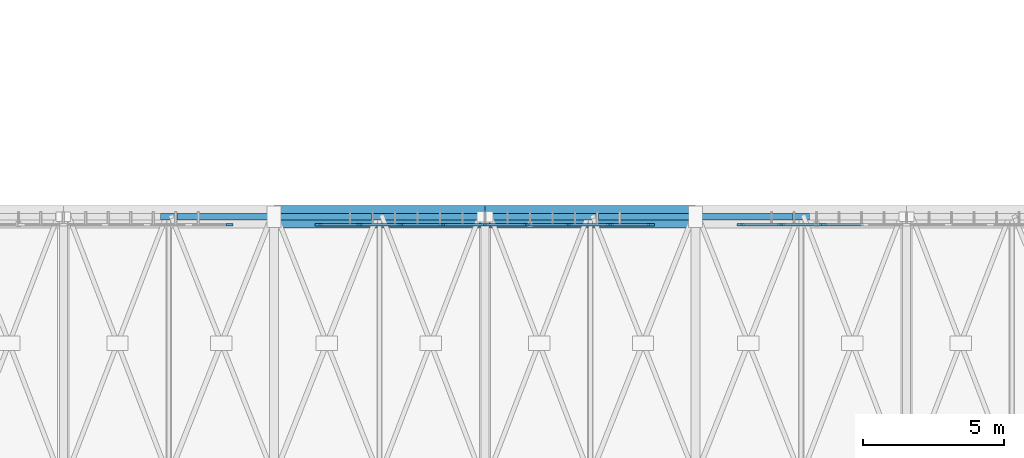
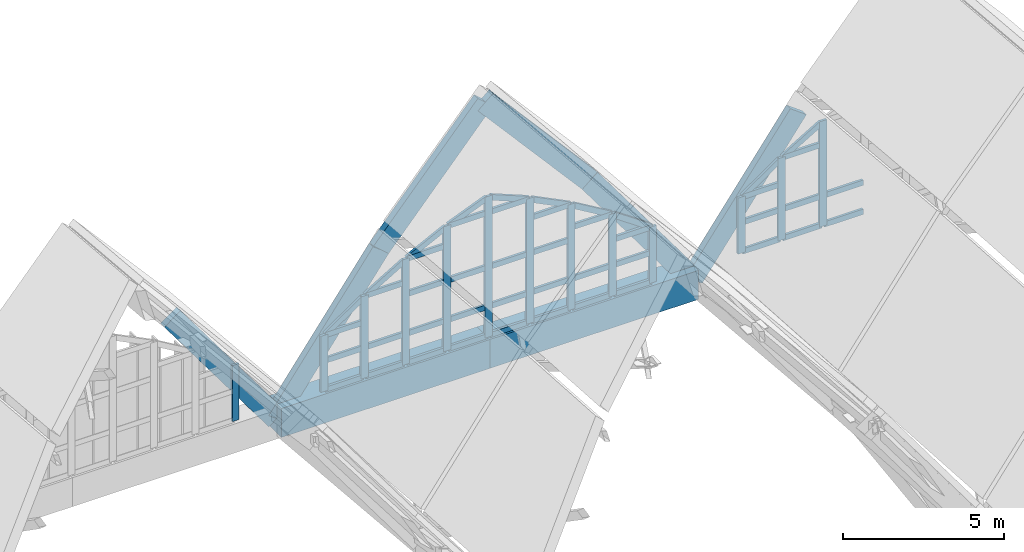
# One storey, part 45 of 93: 59 members, 8 beams, 3 elements without a shape of their own.
"""IFC4 building model written with IfcOpenShell, lengths in metres."""

from ifc_helpers import new_model, si_unit, direction, frame, origin, origin_2d, place, context, subcontext, project, spatial, rectangle, extrude, material, material_profile, profile_set, type_object, element, aggregate, save


model = new_model("IFC4")

# Units and contexts
model_context = context("Model", 3, precision=1e-05, world=origin(), true_north=direction((0.0, 1.0)))
body_context = subcontext(model_context, "Body", "Model", "MODEL_VIEW")
ifc_project = project(units=[si_unit("LENGTHUNIT", "METRE"), si_unit("AREAUNIT", "SQUARE_METRE"), si_unit("VOLUMEUNIT", "CUBIC_METRE"), si_unit("PLANEANGLEUNIT", "RADIAN"), si_unit("MASSUNIT", "GRAM", prefix="KILO")], contexts=[model_context])

# Site, building, storey
site_placement = place(None, origin())
site = spatial("IfcSite", under=ifc_project, at=site_placement, CompositionType="ELEMENT")
building_placement = place(site_placement, origin())
building = spatial("IfcBuilding", under=site, at=building_placement, Name="Vourika Railside Aquatics Centre", CompositionType="ELEMENT")
storey_placement = place(building_placement, frame((0.0, 0.0, 21.89990234375)))
storey = spatial("IfcBuildingStorey", under=building, at=storey_placement, Name="Roof", CompositionType="ELEMENT", Elevation=21.89990234375)

# Beams
ifc_material_1 = material(Name="Glulam GL32h", Category="wood")
ifc_material_profile_1 = material_profile(ifc_material_1, rectangle(XDim=0.239990234375, YDim=0.719970703125, at=origin_2d()), Name="GL32h 240x720")
ifc_profile_set_1 = profile_set([ifc_material_profile_1], Name="Glulam GL32h")
beam_type_1 = type_object("IfcBeamType", Name="BM-GL-ARCH-240x720", PredefinedType="BEAM", material=ifc_profile_set_1)
for number, where, z_axis, x_axis, name in (
    (1, (62.25, 66.0, -6.599853515625), (0.592383087934, 0.0, -0.805656426233), (0.0, 1.0, 0.0), "Pointed Glulam Vault Arch Rib GAR-0062"),
    (2, (66.0, 66.0, -11.699951171875), (0.592383087934, 0.0, 0.805656426233), (0.0, 1.0, 0.0), "Pointed Glulam Vault Arch Rib GAR-0093"),
):
    element("IfcBeam", number, at=place(storey_placement, frame(where, z_axis=z_axis, x_axis=x_axis)), inside=storey, type_object=beam_type_1, Name=name, PredefinedType="BEAM", context=body_context, shape_type="SweptSolid", body=[
        extrude(rectangle(XDim=0.239990234375, YDim=0.719970703125, at=origin_2d()), origin(), (0.0, 0.0, 1.0), 6.330322265625),
    ])
for number, where, z_axis, x_axis, name in (
    (3, (69.75, 66.0, -6.599853515625), (0.657258623263, 0.0, 0.75366511273), (0.0, 1.0, 0.0), "Pointed Glulam Vault Arch Rib GAR-0094"),
    (4, (73.5, 66.0, -2.2998046875), (0.657258623263, 0.0, -0.75366511273), (0.0, 1.0, 0.0), "Pointed Glulam Vault Arch Rib GAR-0095"),
):
    element("IfcBeam", number, at=place(storey_placement, frame(where, z_axis=z_axis, x_axis=x_axis)), inside=storey, type_object=beam_type_1, Name=name, PredefinedType="BEAM", context=body_context, shape_type="SweptSolid", body=[
        extrude(rectangle(XDim=0.239990234375, YDim=0.719970703125, at=origin_2d()), origin(), (0.0, 0.0, 1.0), 5.70556640625),
    ])
for number, where, z_axis, x_axis, name in (
    (5, (77.25, 66.0, -6.599853515625), (0.592383087934, 0.0, -0.805656426233), (0.0, 1.0, 0.0), "Pointed Glulam Vault Arch Rib GAR-0096"),
    (6, (81.0, 66.0, -11.699951171875), (0.592383087934, 0.0, 0.805656426233), (0.0, 1.0, 0.0), "Pointed Glulam Vault Arch Rib GAR-0127"),
):
    element("IfcBeam", number, at=place(storey_placement, frame(where, z_axis=z_axis, x_axis=x_axis)), inside=storey, type_object=beam_type_1, Name=name, PredefinedType="BEAM", context=body_context, shape_type="SweptSolid", body=[
        extrude(rectangle(XDim=0.239990234375, YDim=0.719970703125, at=origin_2d()), origin(), (0.0, 0.0, 1.0), 6.330322265625),
    ])
ifc_material_2 = material(Name="Concrete C40/50", Category="concrete")
ifc_material_profile_2 = material_profile(ifc_material_2, rectangle(XDim=0.800048828125, YDim=1.10009765625, at=origin_2d()), Name="RC 800x1100")
ifc_profile_set_2 = profile_set([ifc_material_profile_2], Name="Concrete C40/50")
beam_type_2 = type_object("IfcBeamType", Name="BM-RING-800x1100", PredefinedType="BEAM", material=ifc_profile_set_2)
for number, where, z_axis, x_axis, name in (
    (7, (66.0, 66.0, -11.699951171875), (1.0, 0.0, 0.0), (0.0, 1.0, 0.0), "Vault Springing Ring Beam N (66.0-73.5)"),
    (8, (73.5, 66.0, -11.699951171875), (1.0, 0.0, 0.0), (0.0, 1.0, 0.0), "Vault Springing Ring Beam N (73.5-81.0)"),
):
    element("IfcBeam", number, at=place(storey_placement, frame(where, z_axis=z_axis, x_axis=x_axis)), inside=storey, type_object=beam_type_2, Name=name, PredefinedType="BEAM", context=body_context, shape_type="SweptSolid", body=[
        extrude(rectangle(XDim=0.800048828125, YDim=1.10009765625, at=origin_2d()), origin(), (0.0, 0.0, 1.0), 7.5),
    ])

# Curtain wall, member
ifc_material_3 = material(Name="Anodized thermally broken aluminium", Category="aluminium")
curtain_wall_type_1 = type_object("IfcCurtainWallType", Name="CW-VLTN1", PredefinedType="NOTDEFINED", material=ifc_material_3)
curtain_wall_1_placement = place(storey_placement, origin())
curtain_wall_1 = element("IfcCurtainWall", 9, at=curtain_wall_1_placement, inside=storey, type_object=curtain_wall_type_1, Name="North Courtyard Pointed-Arch Curtain Wall Bay 2", PredefinedType="NOTDEFINED")
ifc_material_4 = material(Name="Anodized aluminium mullion", Category="aluminium")
ifc_material_profile_3 = material_profile(ifc_material_4, rectangle(XDim=0.0849609375, YDim=0.25, at=origin_2d()), Name="ALU-M 85x250")
ifc_profile_set_3 = profile_set([ifc_material_profile_3], Name="Anodized aluminium mullion")
member_type_1 = type_object("IfcMemberType", Name="CWM-VLTN1", PredefinedType="MULLION", material=ifc_profile_set_3)
member_1_placement = place(storey_placement, frame((64.407470703125, 65.719970703125, -11.099853515625), z_axis=(0.0, 0.0, 1.0), x_axis=(0.0, -1.0, 0.0)))
member_1 = element("IfcMember", 10, at=member_1_placement, type_object=member_type_1, Name="CW01 arch mullion 1", PredefinedType="MULLION", context=body_context, shape_type="SweptSolid", body=[
    extrude(rectangle(XDim=0.0849609375, YDim=0.25, at=origin_2d()), origin(), (0.0, 0.0, 1.0), 2.130859375),
])
aggregate(curtain_wall_1, [member_1])

# Curtain wall, members
curtain_wall_type_2 = type_object("IfcCurtainWallType", Name="CW-VLTN2", PredefinedType="NOTDEFINED", material=ifc_material_3)
curtain_wall_2_placement = place(storey_placement, origin())
curtain_wall_2 = element("IfcCurtainWall", 11, at=curtain_wall_2_placement, inside=storey, type_object=curtain_wall_type_2, Name="North Courtyard Pointed-Arch Curtain Wall Bay 3", PredefinedType="NOTDEFINED")
ifc_material_profile_4 = material_profile(ifc_material_4, rectangle(XDim=0.090087890625, YDim=0.264892578125, at=origin_2d()), Name="ALU-M 90x265")
ifc_profile_set_4 = profile_set([ifc_material_profile_4], Name="Anodized aluminium mullion")
member_type_2 = type_object("IfcMemberType", Name="CWM-VLTN2", PredefinedType="MULLION", material=ifc_profile_set_4)
member_2_placement = place(storey_placement, frame((79.405029296875, 65.719970703125, -11.099853515625), z_axis=(0.0, 0.0, 1.0), x_axis=(0.0, -1.0, 0.0)))
member_2 = element("IfcMember", 12, at=member_2_placement, type_object=member_type_2, Name="CW02 arch mullion 1", PredefinedType="MULLION", context=body_context, shape_type="SweptSolid", body=[
    extrude(rectangle(XDim=0.090087890625, YDim=0.264892578125, at=origin_2d()), origin(), (0.0, 0.0, 1.0), 2.133056640625),
])
member_3_placement = place(storey_placement, frame((77.96240234375, 65.719970703125, -11.099853515625), z_axis=(0.0, 0.0, 1.0), x_axis=(0.0, -1.0, 0.0)))
member_3 = element("IfcMember", 13, at=member_3_placement, type_object=member_type_2, Name="CW02 arch mullion 2", PredefinedType="MULLION", context=body_context, shape_type="SweptSolid", body=[
    extrude(rectangle(XDim=0.090087890625, YDim=0.264892578125, at=origin_2d()), origin(), (0.0, 0.0, 1.0), 3.1259765625),
])
member_4_placement = place(storey_placement, frame((76.47509765625, 65.719970703125, -11.099853515625), z_axis=(0.0, 0.0, 1.0), x_axis=(0.0, -1.0, 0.0)))
member_4 = element("IfcMember", 14, at=member_4_placement, type_object=member_type_2, Name="CW02 arch mullion 3", PredefinedType="MULLION", context=body_context, shape_type="SweptSolid", body=[
    extrude(rectangle(XDim=0.090087890625, YDim=0.264892578125, at=origin_2d()), origin(), (0.0, 0.0, 1.0), 4.009033203125),
])
member_5_placement = place(storey_placement, frame((74.987548828125, 65.719970703125, -11.099853515625), z_axis=(0.0, 0.0, 1.0), x_axis=(0.0, -1.0, 0.0)))
member_5 = element("IfcMember", 15, at=member_5_placement, type_object=member_type_2, Name="CW02 arch mullion 4", PredefinedType="MULLION", context=body_context, shape_type="SweptSolid", body=[
    extrude(rectangle(XDim=0.090087890625, YDim=0.264892578125, at=origin_2d()), origin(), (0.0, 0.0, 1.0), 4.7509765625),
])
member_6_placement = place(storey_placement, frame((73.5, 65.719970703125, -11.099853515625), z_axis=(0.0, 0.0, 1.0), x_axis=(0.0, -1.0, 0.0)))
member_6 = element("IfcMember", 16, at=member_6_placement, type_object=member_type_2, Name="CW02 arch mullion 5", PredefinedType="MULLION", context=body_context, shape_type="SweptSolid", body=[
    extrude(rectangle(XDim=0.090087890625, YDim=0.264892578125, at=origin_2d()), origin(), (0.0, 0.0, 1.0), 5.349853515625),
])
member_7_placement = place(storey_placement, frame((72.012451171875, 65.719970703125, -11.099853515625), z_axis=(0.0, 0.0, 1.0), x_axis=(0.0, -1.0, 0.0)))
member_7 = element("IfcMember", 17, at=member_7_placement, type_object=member_type_2, Name="CW02 arch mullion 6", PredefinedType="MULLION", context=body_context, shape_type="SweptSolid", body=[
    extrude(rectangle(XDim=0.090087890625, YDim=0.264892578125, at=origin_2d()), origin(), (0.0, 0.0, 1.0), 4.7509765625),
])
member_8_placement = place(storey_placement, frame((70.52490234375, 65.719970703125, -11.099853515625), z_axis=(0.0, 0.0, 1.0), x_axis=(0.0, -1.0, 0.0)))
member_8 = element("IfcMember", 18, at=member_8_placement, type_object=member_type_2, Name="CW02 arch mullion 7", PredefinedType="MULLION", context=body_context, shape_type="SweptSolid", body=[
    extrude(rectangle(XDim=0.090087890625, YDim=0.264892578125, at=origin_2d()), origin(), (0.0, 0.0, 1.0), 4.009033203125),
])
member_9_placement = place(storey_placement, frame((69.03759765625, 65.719970703125, -11.099853515625), z_axis=(0.0, 0.0, 1.0), x_axis=(0.0, -1.0, 0.0)))
member_9 = element("IfcMember", 19, at=member_9_placement, type_object=member_type_2, Name="CW02 arch mullion 8", PredefinedType="MULLION", context=body_context, shape_type="SweptSolid", body=[
    extrude(rectangle(XDim=0.090087890625, YDim=0.264892578125, at=origin_2d()), origin(), (0.0, 0.0, 1.0), 3.1259765625),
])
member_10_placement = place(storey_placement, frame((67.594970703125, 65.719970703125, -11.099853515625), z_axis=(0.0, 0.0, 1.0), x_axis=(0.0, -1.0, 0.0)))
member_10 = element("IfcMember", 20, at=member_10_placement, type_object=member_type_2, Name="CW02 arch mullion 9", PredefinedType="MULLION", context=body_context, shape_type="SweptSolid", body=[
    extrude(rectangle(XDim=0.090087890625, YDim=0.264892578125, at=origin_2d()), origin(), (0.0, 0.0, 1.0), 2.133056640625),
])

curtain_wall_3_placement = place(storey_placement, origin())
curtain_wall_3 = element("IfcCurtainWall", 21, at=curtain_wall_3_placement, inside=storey, type_object=curtain_wall_type_2, Name="North Courtyard Pointed-Arch Curtain Wall Bay 4", PredefinedType="NOTDEFINED")
member_11_placement = place(storey_placement, frame((85.52490234375, 65.719970703125, -11.099853515625), z_axis=(0.0, 0.0, 1.0), x_axis=(0.0, -1.0, 0.0)))
member_11 = element("IfcMember", 22, at=member_11_placement, type_object=member_type_2, Name="CW02 arch mullion 7", PredefinedType="MULLION", context=body_context, shape_type="SweptSolid", body=[
    extrude(rectangle(XDim=0.090087890625, YDim=0.264892578125, at=origin_2d()), origin(), (0.0, 0.0, 1.0), 4.009033203125),
])
member_12_placement = place(storey_placement, frame((84.03759765625, 65.719970703125, -11.099853515625), z_axis=(0.0, 0.0, 1.0), x_axis=(0.0, -1.0, 0.0)))
member_12 = element("IfcMember", 23, at=member_12_placement, type_object=member_type_2, Name="CW02 arch mullion 8", PredefinedType="MULLION", context=body_context, shape_type="SweptSolid", body=[
    extrude(rectangle(XDim=0.090087890625, YDim=0.264892578125, at=origin_2d()), origin(), (0.0, 0.0, 1.0), 3.1259765625),
])
member_13_placement = place(storey_placement, frame((82.594970703125, 65.719970703125, -11.099853515625), z_axis=(0.0, 0.0, 1.0), x_axis=(0.0, -1.0, 0.0)))
member_13 = element("IfcMember", 24, at=member_13_placement, type_object=member_type_2, Name="CW02 arch mullion 9", PredefinedType="MULLION", context=body_context, shape_type="SweptSolid", body=[
    extrude(rectangle(XDim=0.090087890625, YDim=0.264892578125, at=origin_2d()), origin(), (0.0, 0.0, 1.0), 2.133056640625),
])

# Member
ifc_material_5 = material(Name="Anodized aluminium transom", Category="aluminium")
ifc_material_profile_5 = material_profile(ifc_material_5, rectangle(XDim=0.090087890625, YDim=0.205078125, at=origin_2d()), Name="ALU-T 90x205")
ifc_profile_set_5 = profile_set([ifc_material_profile_5], Name="Anodized aluminium transom")
member_type_3 = type_object("IfcMemberType", Name="CWT-VLTN2", PredefinedType="USERDEFINED", material=ifc_profile_set_5)
member_14_placement = place(storey_placement, frame((79.360107421875, 65.719970703125, -11.054931640625), z_axis=(-1.0, 0.0, 0.0), x_axis=(0.0, -1.0, 0.0)))
member_14 = element("IfcMember", 25, at=member_14_placement, type_object=member_type_3, Name="CW02 transom 1.1", ObjectType="TRANSOM", PredefinedType="USERDEFINED", context=body_context, shape_type="SweptSolid", body=[
    extrude(rectangle(XDim=0.090087890625, YDim=0.205078125, at=origin_2d()), origin(), (0.0, 0.0, 1.0), 1.3525390625),
])

member_15_placement = place(storey_placement, frame((79.360107421875, 65.719970703125, -9.949951171875), z_axis=(-1.0, 0.0, 0.0), x_axis=(0.0, -1.0, 0.0)))
member_15 = element("IfcMember", 26, at=member_15_placement, type_object=member_type_3, Name="CW02 transom 1.2", ObjectType="TRANSOM", PredefinedType="USERDEFINED", context=body_context, shape_type="SweptSolid", body=[
    extrude(rectangle(XDim=0.090087890625, YDim=0.205078125, at=origin_2d()), origin(), (0.0, 0.0, 1.0), 1.3525390625),
])

member_16_placement = place(storey_placement, frame((79.360107421875, 65.719970703125, -8.97900390625), z_axis=(-1.0, 0.0, 0.0), x_axis=(0.0, -1.0, 0.0)))
member_16 = element("IfcMember", 27, at=member_16_placement, type_object=member_type_3, Name="CW02 transom 1.3", ObjectType="TRANSOM", PredefinedType="USERDEFINED", context=body_context, shape_type="SweptSolid", body=[
    extrude(rectangle(XDim=0.090087890625, YDim=0.205078125, at=origin_2d()), origin(), (0.0, 0.0, 1.0), 1.3525390625),
])

member_17_placement = place(storey_placement, frame((79.360107421875, 65.719970703125, -8.97900390625), z_axis=(-0.82367735406, 0.0, 0.567058741586), x_axis=(0.0, -1.0, 0.0)))
member_17 = element("IfcMember", 28, at=member_17_placement, type_object=member_type_3, Name="CW02 arch chord transom 1", ObjectType="TRANSOM", PredefinedType="USERDEFINED", context=body_context, shape_type="SweptSolid", body=[
    extrude(rectangle(XDim=0.090087890625, YDim=0.205078125, at=origin_2d()), origin(), (0.0, 0.0, 1.0), 1.64208984375),
])

member_18_placement = place(storey_placement, frame((77.91748046875, 65.719970703125, -11.054931640625), z_axis=(-1.0, 0.0, 0.0), x_axis=(0.0, -1.0, 0.0)))
member_18 = element("IfcMember", 29, at=member_18_placement, type_object=member_type_3, Name="CW02 transom 2.1", ObjectType="TRANSOM", PredefinedType="USERDEFINED", context=body_context, shape_type="SweptSolid", body=[
    extrude(rectangle(XDim=0.090087890625, YDim=0.205078125, at=origin_2d()), origin(), (0.0, 0.0, 1.0), 1.3974609375),
])

member_19_placement = place(storey_placement, frame((77.91748046875, 65.719970703125, -9.949951171875), z_axis=(-1.0, 0.0, 0.0), x_axis=(0.0, -1.0, 0.0)))
member_19 = element("IfcMember", 30, at=member_19_placement, type_object=member_type_3, Name="CW02 transom 2.2", ObjectType="TRANSOM", PredefinedType="USERDEFINED", context=body_context, shape_type="SweptSolid", body=[
    extrude(rectangle(XDim=0.090087890625, YDim=0.205078125, at=origin_2d()), origin(), (0.0, 0.0, 1.0), 1.3974609375),
])

member_20_placement = place(storey_placement, frame((77.91748046875, 65.719970703125, -7.989990234375), z_axis=(-1.0, 0.0, 0.0), x_axis=(0.0, -1.0, 0.0)))
member_20 = element("IfcMember", 31, at=member_20_placement, type_object=member_type_3, Name="CW02 transom 2.3", ObjectType="TRANSOM", PredefinedType="USERDEFINED", context=body_context, shape_type="SweptSolid", body=[
    extrude(rectangle(XDim=0.090087890625, YDim=0.205078125, at=origin_2d()), origin(), (0.0, 0.0, 1.0), 1.3974609375),
])

member_21_placement = place(storey_placement, frame((77.91748046875, 65.719970703125, -7.989990234375), z_axis=(-0.859764066012, 0.0, 0.510691443823), x_axis=(0.0, -1.0, 0.0)))
member_21 = element("IfcMember", 32, at=member_21_placement, type_object=member_type_3, Name="CW02 arch chord transom 2", ObjectType="TRANSOM", PredefinedType="USERDEFINED", context=body_context, shape_type="SweptSolid", body=[
    extrude(rectangle(XDim=0.090087890625, YDim=0.205078125, at=origin_2d()), origin(), (0.0, 0.0, 1.0), 1.62548828125),
])

member_22_placement = place(storey_placement, frame((76.429931640625, 65.719970703125, -11.054931640625), z_axis=(-1.0, 0.0, 0.0), x_axis=(0.0, -1.0, 0.0)))
member_22 = element("IfcMember", 33, at=member_22_placement, type_object=member_type_3, Name="CW02 transom 3.1", ObjectType="TRANSOM", PredefinedType="USERDEFINED", context=body_context, shape_type="SweptSolid", body=[
    extrude(rectangle(XDim=0.090087890625, YDim=0.205078125, at=origin_2d()), origin(), (0.0, 0.0, 1.0), 1.3974609375),
])

member_23_placement = place(storey_placement, frame((76.429931640625, 65.719970703125, -9.949951171875), z_axis=(-1.0, 0.0, 0.0), x_axis=(0.0, -1.0, 0.0)))
member_23 = element("IfcMember", 34, at=member_23_placement, type_object=member_type_3, Name="CW02 transom 3.2", ObjectType="TRANSOM", PredefinedType="USERDEFINED", context=body_context, shape_type="SweptSolid", body=[
    extrude(rectangle(XDim=0.090087890625, YDim=0.205078125, at=origin_2d()), origin(), (0.0, 0.0, 1.0), 1.3974609375),
])

member_24_placement = place(storey_placement, frame((76.429931640625, 65.719970703125, -8.449951171875), z_axis=(-1.0, 0.0, 0.0), x_axis=(0.0, -1.0, 0.0)))
member_24 = element("IfcMember", 35, at=member_24_placement, type_object=member_type_3, Name="CW02 transom 3.3", ObjectType="TRANSOM", PredefinedType="USERDEFINED", context=body_context, shape_type="SweptSolid", body=[
    extrude(rectangle(XDim=0.090087890625, YDim=0.205078125, at=origin_2d()), origin(), (0.0, 0.0, 1.0), 1.3974609375),
])

member_25_placement = place(storey_placement, frame((76.429931640625, 65.719970703125, -7.11083984375), z_axis=(-1.0, 0.0, 0.0), x_axis=(0.0, -1.0, 0.0)))
member_25 = element("IfcMember", 36, at=member_25_placement, type_object=member_type_3, Name="CW02 transom 3.4", ObjectType="TRANSOM", PredefinedType="USERDEFINED", context=body_context, shape_type="SweptSolid", body=[
    extrude(rectangle(XDim=0.090087890625, YDim=0.205078125, at=origin_2d()), origin(), (0.0, 0.0, 1.0), 1.3974609375),
])

member_26_placement = place(storey_placement, frame((76.429931640625, 65.719970703125, -7.11083984375), z_axis=(-0.895114200578, 0.0, 0.445836929743), x_axis=(0.0, -1.0, 0.0)))
member_26 = element("IfcMember", 37, at=member_26_placement, type_object=member_type_3, Name="CW02 arch chord transom 3", ObjectType="TRANSOM", PredefinedType="USERDEFINED", context=body_context, shape_type="SweptSolid", body=[
    extrude(rectangle(XDim=0.090087890625, YDim=0.205078125, at=origin_2d()), origin(), (0.0, 0.0, 1.0), 1.561279296875),
])

member_27_placement = place(storey_placement, frame((74.9423828125, 65.719970703125, -11.054931640625), z_axis=(-1.0, 0.0, 0.0), x_axis=(0.0, -1.0, 0.0)))
member_27 = element("IfcMember", 38, at=member_27_placement, type_object=member_type_3, Name="CW02 transom 4.1", ObjectType="TRANSOM", PredefinedType="USERDEFINED", context=body_context, shape_type="SweptSolid", body=[
    extrude(rectangle(XDim=0.090087890625, YDim=0.205078125, at=origin_2d()), origin(), (0.0, 0.0, 1.0), 1.3974609375),
])

member_28_placement = place(storey_placement, frame((74.9423828125, 65.719970703125, -9.949951171875), z_axis=(-1.0, 0.0, 0.0), x_axis=(0.0, -1.0, 0.0)))
member_28 = element("IfcMember", 39, at=member_28_placement, type_object=member_type_3, Name="CW02 transom 4.2", ObjectType="TRANSOM", PredefinedType="USERDEFINED", context=body_context, shape_type="SweptSolid", body=[
    extrude(rectangle(XDim=0.090087890625, YDim=0.205078125, at=origin_2d()), origin(), (0.0, 0.0, 1.0), 1.3974609375),
])

member_29_placement = place(storey_placement, frame((74.9423828125, 65.719970703125, -8.449951171875), z_axis=(-1.0, 0.0, 0.0), x_axis=(0.0, -1.0, 0.0)))
member_29 = element("IfcMember", 40, at=member_29_placement, type_object=member_type_3, Name="CW02 transom 4.3", ObjectType="TRANSOM", PredefinedType="USERDEFINED", context=body_context, shape_type="SweptSolid", body=[
    extrude(rectangle(XDim=0.090087890625, YDim=0.205078125, at=origin_2d()), origin(), (0.0, 0.0, 1.0), 1.3974609375),
])

member_30_placement = place(storey_placement, frame((74.9423828125, 65.719970703125, -6.3740234375), z_axis=(-1.0, 0.0, 0.0), x_axis=(0.0, -1.0, 0.0)))
member_30 = element("IfcMember", 41, at=member_30_placement, type_object=member_type_3, Name="CW02 transom 4.4", ObjectType="TRANSOM", PredefinedType="USERDEFINED", context=body_context, shape_type="SweptSolid", body=[
    extrude(rectangle(XDim=0.090087890625, YDim=0.205078125, at=origin_2d()), origin(), (0.0, 0.0, 1.0), 1.3974609375),
])

member_31_placement = place(storey_placement, frame((74.9423828125, 65.719970703125, -6.3740234375), z_axis=(-0.927501285961, 0.0, 0.373819962738), x_axis=(0.0, -1.0, 0.0)))
member_31 = element("IfcMember", 42, at=member_31_placement, type_object=member_type_3, Name="CW02 arch chord transom 4", ObjectType="TRANSOM", PredefinedType="USERDEFINED", context=body_context, shape_type="SweptSolid", body=[
    extrude(rectangle(XDim=0.090087890625, YDim=0.205078125, at=origin_2d()), origin(), (0.0, 0.0, 1.0), 1.506591796875),
])

member_32_placement = place(storey_placement, frame((73.455078125, 65.719970703125, -11.054931640625), z_axis=(-1.0, 0.0, 0.0), x_axis=(0.0, -1.0, 0.0)))
member_32 = element("IfcMember", 43, at=member_32_placement, type_object=member_type_3, Name="CW02 transom 5.1", ObjectType="TRANSOM", PredefinedType="USERDEFINED", context=body_context, shape_type="SweptSolid", body=[
    extrude(rectangle(XDim=0.090087890625, YDim=0.205078125, at=origin_2d()), origin(), (0.0, 0.0, 1.0), 1.3974609375),
])

member_33_placement = place(storey_placement, frame((73.455078125, 65.719970703125, -9.949951171875), z_axis=(-1.0, 0.0, 0.0), x_axis=(0.0, -1.0, 0.0)))
member_33 = element("IfcMember", 44, at=member_33_placement, type_object=member_type_3, Name="CW02 transom 5.2", ObjectType="TRANSOM", PredefinedType="USERDEFINED", context=body_context, shape_type="SweptSolid", body=[
    extrude(rectangle(XDim=0.090087890625, YDim=0.205078125, at=origin_2d()), origin(), (0.0, 0.0, 1.0), 1.3974609375),
])

member_34_placement = place(storey_placement, frame((73.455078125, 65.719970703125, -8.449951171875), z_axis=(-1.0, 0.0, 0.0), x_axis=(0.0, -1.0, 0.0)))
member_34 = element("IfcMember", 45, at=member_34_placement, type_object=member_type_3, Name="CW02 transom 5.3", ObjectType="TRANSOM", PredefinedType="USERDEFINED", context=body_context, shape_type="SweptSolid", body=[
    extrude(rectangle(XDim=0.090087890625, YDim=0.205078125, at=origin_2d()), origin(), (0.0, 0.0, 1.0), 1.3974609375),
])

member_35_placement = place(storey_placement, frame((73.455078125, 65.719970703125, -6.3740234375), z_axis=(-1.0, 0.0, 0.0), x_axis=(0.0, -1.0, 0.0)))
member_35 = element("IfcMember", 46, at=member_35_placement, type_object=member_type_3, Name="CW02 transom 5.4", ObjectType="TRANSOM", PredefinedType="USERDEFINED", context=body_context, shape_type="SweptSolid", body=[
    extrude(rectangle(XDim=0.090087890625, YDim=0.205078125, at=origin_2d()), origin(), (0.0, 0.0, 1.0), 1.3974609375),
])

member_36_placement = place(storey_placement, frame((73.455078125, 65.719970703125, -5.810791015625), z_axis=(-0.927501285961, 0.0, -0.373819962738), x_axis=(0.0, -1.0, 0.0)))
member_36 = element("IfcMember", 47, at=member_36_placement, type_object=member_type_3, Name="CW02 arch chord transom 5", ObjectType="TRANSOM", PredefinedType="USERDEFINED", context=body_context, shape_type="SweptSolid", body=[
    extrude(rectangle(XDim=0.090087890625, YDim=0.205078125, at=origin_2d()), origin(), (0.0, 0.0, 1.0), 1.506591796875),
])

member_37_placement = place(storey_placement, frame((71.967529296875, 65.719970703125, -11.054931640625), z_axis=(-1.0, 0.0, 0.0), x_axis=(0.0, -1.0, 0.0)))
member_37 = element("IfcMember", 48, at=member_37_placement, type_object=member_type_3, Name="CW02 transom 6.1", ObjectType="TRANSOM", PredefinedType="USERDEFINED", context=body_context, shape_type="SweptSolid", body=[
    extrude(rectangle(XDim=0.090087890625, YDim=0.205078125, at=origin_2d()), origin(), (0.0, 0.0, 1.0), 1.3974609375),
])

member_38_placement = place(storey_placement, frame((71.967529296875, 65.719970703125, -9.949951171875), z_axis=(-1.0, 0.0, 0.0), x_axis=(0.0, -1.0, 0.0)))
member_38 = element("IfcMember", 49, at=member_38_placement, type_object=member_type_3, Name="CW02 transom 6.2", ObjectType="TRANSOM", PredefinedType="USERDEFINED", context=body_context, shape_type="SweptSolid", body=[
    extrude(rectangle(XDim=0.090087890625, YDim=0.205078125, at=origin_2d()), origin(), (0.0, 0.0, 1.0), 1.3974609375),
])

member_39_placement = place(storey_placement, frame((71.967529296875, 65.719970703125, -8.449951171875), z_axis=(-1.0, 0.0, 0.0), x_axis=(0.0, -1.0, 0.0)))
member_39 = element("IfcMember", 50, at=member_39_placement, type_object=member_type_3, Name="CW02 transom 6.3", ObjectType="TRANSOM", PredefinedType="USERDEFINED", context=body_context, shape_type="SweptSolid", body=[
    extrude(rectangle(XDim=0.090087890625, YDim=0.205078125, at=origin_2d()), origin(), (0.0, 0.0, 1.0), 1.3974609375),
])

member_40_placement = place(storey_placement, frame((71.967529296875, 65.719970703125, -7.11083984375), z_axis=(-1.0, 0.0, 0.0), x_axis=(0.0, -1.0, 0.0)))
member_40 = element("IfcMember", 51, at=member_40_placement, type_object=member_type_3, Name="CW02 transom 6.4", ObjectType="TRANSOM", PredefinedType="USERDEFINED", context=body_context, shape_type="SweptSolid", body=[
    extrude(rectangle(XDim=0.090087890625, YDim=0.205078125, at=origin_2d()), origin(), (0.0, 0.0, 1.0), 1.3974609375),
])

member_41_placement = place(storey_placement, frame((71.967529296875, 65.719970703125, -6.414794921875), z_axis=(-0.895114200578, 0.0, -0.445836929743), x_axis=(0.0, -1.0, 0.0)))
member_41 = element("IfcMember", 52, at=member_41_placement, type_object=member_type_3, Name="CW02 arch chord transom 6", ObjectType="TRANSOM", PredefinedType="USERDEFINED", context=body_context, shape_type="SweptSolid", body=[
    extrude(rectangle(XDim=0.090087890625, YDim=0.205078125, at=origin_2d()), origin(), (0.0, 0.0, 1.0), 1.561279296875),
])

member_42_placement = place(storey_placement, frame((70.47998046875, 65.719970703125, -11.054931640625), z_axis=(-1.0, 0.0, 0.0), x_axis=(0.0, -1.0, 0.0)))
member_42 = element("IfcMember", 53, at=member_42_placement, type_object=member_type_3, Name="CW02 transom 7.1", ObjectType="TRANSOM", PredefinedType="USERDEFINED", context=body_context, shape_type="SweptSolid", body=[
    extrude(rectangle(XDim=0.090087890625, YDim=0.205078125, at=origin_2d()), origin(), (0.0, 0.0, 1.0), 1.3974609375),
])

member_43_placement = place(storey_placement, frame((70.47998046875, 65.719970703125, -9.949951171875), z_axis=(-1.0, 0.0, 0.0), x_axis=(0.0, -1.0, 0.0)))
member_43 = element("IfcMember", 54, at=member_43_placement, type_object=member_type_3, Name="CW02 transom 7.2", ObjectType="TRANSOM", PredefinedType="USERDEFINED", context=body_context, shape_type="SweptSolid", body=[
    extrude(rectangle(XDim=0.090087890625, YDim=0.205078125, at=origin_2d()), origin(), (0.0, 0.0, 1.0), 1.3974609375),
])

member_44_placement = place(storey_placement, frame((70.47998046875, 65.719970703125, -7.989990234375), z_axis=(-1.0, 0.0, 0.0), x_axis=(0.0, -1.0, 0.0)))
member_44 = element("IfcMember", 55, at=member_44_placement, type_object=member_type_3, Name="CW02 transom 7.3", ObjectType="TRANSOM", PredefinedType="USERDEFINED", context=body_context, shape_type="SweptSolid", body=[
    extrude(rectangle(XDim=0.090087890625, YDim=0.205078125, at=origin_2d()), origin(), (0.0, 0.0, 1.0), 1.3974609375),
])

member_45_placement = place(storey_placement, frame((70.47998046875, 65.719970703125, -7.159912109375), z_axis=(-0.859764066012, 0.0, -0.510691443823), x_axis=(0.0, -1.0, 0.0)))
member_45 = element("IfcMember", 56, at=member_45_placement, type_object=member_type_3, Name="CW02 arch chord transom 7", ObjectType="TRANSOM", PredefinedType="USERDEFINED", context=body_context, shape_type="SweptSolid", body=[
    extrude(rectangle(XDim=0.090087890625, YDim=0.205078125, at=origin_2d()), origin(), (0.0, 0.0, 1.0), 1.62548828125),
])

member_46_placement = place(storey_placement, frame((68.992431640625, 65.719970703125, -11.054931640625), z_axis=(-1.0, 0.0, 0.0), x_axis=(0.0, -1.0, 0.0)))
member_46 = element("IfcMember", 57, at=member_46_placement, type_object=member_type_3, Name="CW02 transom 8.1", ObjectType="TRANSOM", PredefinedType="USERDEFINED", context=body_context, shape_type="SweptSolid", body=[
    extrude(rectangle(XDim=0.090087890625, YDim=0.205078125, at=origin_2d()), origin(), (0.0, 0.0, 1.0), 1.3525390625),
])

member_47_placement = place(storey_placement, frame((68.992431640625, 65.719970703125, -9.949951171875), z_axis=(-1.0, 0.0, 0.0), x_axis=(0.0, -1.0, 0.0)))
member_47 = element("IfcMember", 58, at=member_47_placement, type_object=member_type_3, Name="CW02 transom 8.2", ObjectType="TRANSOM", PredefinedType="USERDEFINED", context=body_context, shape_type="SweptSolid", body=[
    extrude(rectangle(XDim=0.090087890625, YDim=0.205078125, at=origin_2d()), origin(), (0.0, 0.0, 1.0), 1.3525390625),
])

member_48_placement = place(storey_placement, frame((68.992431640625, 65.719970703125, -8.97900390625), z_axis=(-1.0, 0.0, 0.0), x_axis=(0.0, -1.0, 0.0)))
member_48 = element("IfcMember", 59, at=member_48_placement, type_object=member_type_3, Name="CW02 transom 8.3", ObjectType="TRANSOM", PredefinedType="USERDEFINED", context=body_context, shape_type="SweptSolid", body=[
    extrude(rectangle(XDim=0.090087890625, YDim=0.205078125, at=origin_2d()), origin(), (0.0, 0.0, 1.0), 1.3525390625),
])

member_49_placement = place(storey_placement, frame((68.992431640625, 65.719970703125, -8.0478515625), z_axis=(-0.82367735406, 0.0, -0.567058741586), x_axis=(0.0, -1.0, 0.0)))
member_49 = element("IfcMember", 60, at=member_49_placement, type_object=member_type_3, Name="CW02 arch chord transom 8", ObjectType="TRANSOM", PredefinedType="USERDEFINED", context=body_context, shape_type="SweptSolid", body=[
    extrude(rectangle(XDim=0.090087890625, YDim=0.205078125, at=origin_2d()), origin(), (0.0, 0.0, 1.0), 1.64208984375),
])

aggregate(curtain_wall_2, [member_2, member_3, member_4, member_5, member_6, member_7, member_8, member_9, member_10, member_14, member_15, member_16, member_17, member_18, member_19, member_20, member_21, member_22, member_23, member_24, member_25, member_26, member_27, member_28, member_29, member_30, member_31, member_32, member_33, member_34, member_35, member_36, member_37, member_38, member_39, member_40, member_41, member_42, member_43, member_44, member_45, member_46, member_47, member_48, member_49])

member_50_placement = place(storey_placement, frame((86.967529296875, 65.719970703125, -11.054931640625), z_axis=(-1.0, 0.0, 0.0), x_axis=(0.0, -1.0, 0.0)))
member_50 = element("IfcMember", 61, at=member_50_placement, type_object=member_type_3, Name="CW02 transom 6.1", ObjectType="TRANSOM", PredefinedType="USERDEFINED", context=body_context, shape_type="SweptSolid", body=[
    extrude(rectangle(XDim=0.090087890625, YDim=0.205078125, at=origin_2d()), origin(), (0.0, 0.0, 1.0), 1.3974609375),
])

member_51_placement = place(storey_placement, frame((86.967529296875, 65.719970703125, -9.949951171875), z_axis=(-1.0, 0.0, 0.0), x_axis=(0.0, -1.0, 0.0)))
member_51 = element("IfcMember", 62, at=member_51_placement, type_object=member_type_3, Name="CW02 transom 6.2", ObjectType="TRANSOM", PredefinedType="USERDEFINED", context=body_context, shape_type="SweptSolid", body=[
    extrude(rectangle(XDim=0.090087890625, YDim=0.205078125, at=origin_2d()), origin(), (0.0, 0.0, 1.0), 1.3974609375),
])

member_52_placement = place(storey_placement, frame((85.47998046875, 65.719970703125, -11.054931640625), z_axis=(-1.0, 0.0, 0.0), x_axis=(0.0, -1.0, 0.0)))
member_52 = element("IfcMember", 63, at=member_52_placement, type_object=member_type_3, Name="CW02 transom 7.1", ObjectType="TRANSOM", PredefinedType="USERDEFINED", context=body_context, shape_type="SweptSolid", body=[
    extrude(rectangle(XDim=0.090087890625, YDim=0.205078125, at=origin_2d()), origin(), (0.0, 0.0, 1.0), 1.3974609375),
])

member_53_placement = place(storey_placement, frame((85.47998046875, 65.719970703125, -9.949951171875), z_axis=(-1.0, 0.0, 0.0), x_axis=(0.0, -1.0, 0.0)))
member_53 = element("IfcMember", 64, at=member_53_placement, type_object=member_type_3, Name="CW02 transom 7.2", ObjectType="TRANSOM", PredefinedType="USERDEFINED", context=body_context, shape_type="SweptSolid", body=[
    extrude(rectangle(XDim=0.090087890625, YDim=0.205078125, at=origin_2d()), origin(), (0.0, 0.0, 1.0), 1.3974609375),
])

member_54_placement = place(storey_placement, frame((85.47998046875, 65.719970703125, -7.989990234375), z_axis=(-1.0, 0.0, 0.0), x_axis=(0.0, -1.0, 0.0)))
member_54 = element("IfcMember", 65, at=member_54_placement, type_object=member_type_3, Name="CW02 transom 7.3", ObjectType="TRANSOM", PredefinedType="USERDEFINED", context=body_context, shape_type="SweptSolid", body=[
    extrude(rectangle(XDim=0.090087890625, YDim=0.205078125, at=origin_2d()), origin(), (0.0, 0.0, 1.0), 1.3974609375),
])

member_55_placement = place(storey_placement, frame((85.47998046875, 65.719970703125, -7.159912109375), z_axis=(-0.859764066012, 0.0, -0.510691443823), x_axis=(0.0, -1.0, 0.0)))
member_55 = element("IfcMember", 66, at=member_55_placement, type_object=member_type_3, Name="CW02 arch chord transom 7", ObjectType="TRANSOM", PredefinedType="USERDEFINED", context=body_context, shape_type="SweptSolid", body=[
    extrude(rectangle(XDim=0.090087890625, YDim=0.205078125, at=origin_2d()), origin(), (0.0, 0.0, 1.0), 1.62548828125),
])

member_56_placement = place(storey_placement, frame((83.992431640625, 65.719970703125, -11.054931640625), z_axis=(-1.0, 0.0, 0.0), x_axis=(0.0, -1.0, 0.0)))
member_56 = element("IfcMember", 67, at=member_56_placement, type_object=member_type_3, Name="CW02 transom 8.1", ObjectType="TRANSOM", PredefinedType="USERDEFINED", context=body_context, shape_type="SweptSolid", body=[
    extrude(rectangle(XDim=0.090087890625, YDim=0.205078125, at=origin_2d()), origin(), (0.0, 0.0, 1.0), 1.3525390625),
])

member_57_placement = place(storey_placement, frame((83.992431640625, 65.719970703125, -9.949951171875), z_axis=(-1.0, 0.0, 0.0), x_axis=(0.0, -1.0, 0.0)))
member_57 = element("IfcMember", 68, at=member_57_placement, type_object=member_type_3, Name="CW02 transom 8.2", ObjectType="TRANSOM", PredefinedType="USERDEFINED", context=body_context, shape_type="SweptSolid", body=[
    extrude(rectangle(XDim=0.090087890625, YDim=0.205078125, at=origin_2d()), origin(), (0.0, 0.0, 1.0), 1.3525390625),
])

member_58_placement = place(storey_placement, frame((83.992431640625, 65.719970703125, -8.97900390625), z_axis=(-1.0, 0.0, 0.0), x_axis=(0.0, -1.0, 0.0)))
member_58 = element("IfcMember", 69, at=member_58_placement, type_object=member_type_3, Name="CW02 transom 8.3", ObjectType="TRANSOM", PredefinedType="USERDEFINED", context=body_context, shape_type="SweptSolid", body=[
    extrude(rectangle(XDim=0.090087890625, YDim=0.205078125, at=origin_2d()), origin(), (0.0, 0.0, 1.0), 1.3525390625),
])

member_59_placement = place(storey_placement, frame((83.992431640625, 65.719970703125, -8.0478515625), z_axis=(-0.82367735406, 0.0, -0.567058741586), x_axis=(0.0, -1.0, 0.0)))
member_59 = element("IfcMember", 70, at=member_59_placement, type_object=member_type_3, Name="CW02 arch chord transom 8", ObjectType="TRANSOM", PredefinedType="USERDEFINED", context=body_context, shape_type="SweptSolid", body=[
    extrude(rectangle(XDim=0.090087890625, YDim=0.205078125, at=origin_2d()), origin(), (0.0, 0.0, 1.0), 1.64208984375),
])

aggregate(curtain_wall_3, [member_11, member_12, member_13, member_50, member_51, member_52, member_53, member_54, member_55, member_56, member_57, member_58, member_59])

save(model, "model.ifc")
